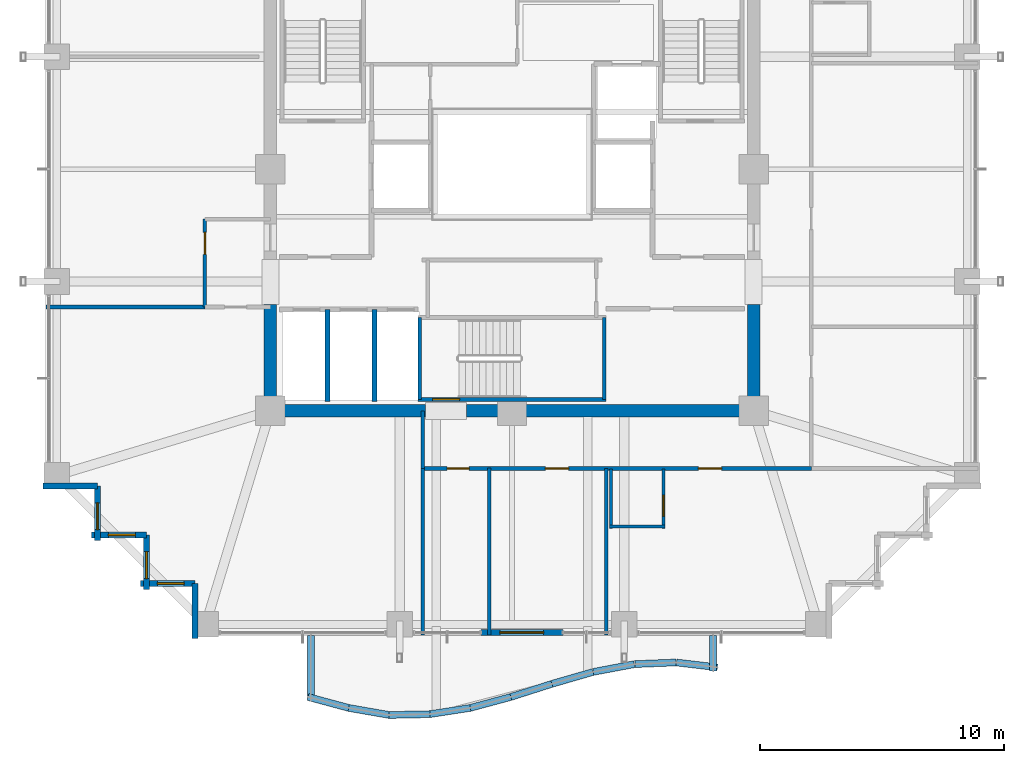
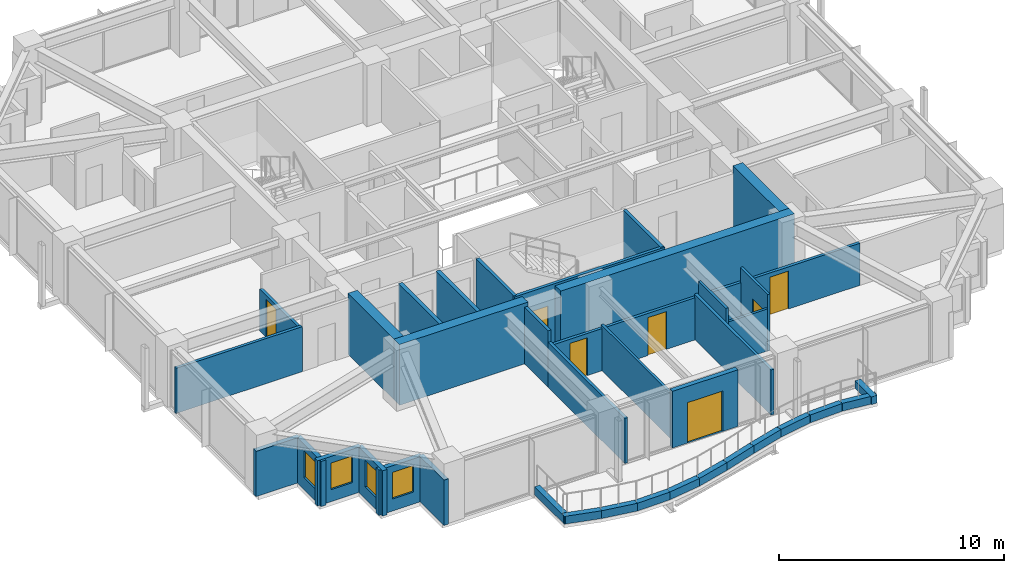
# One storey, part 25 of 31: 38 walls, 7 doors, 4 windows, 11 openings.
"""IFC4 building model written with IfcOpenShell, lengths in metres."""

from ifc_helpers import new_model, si_unit, direction, frame, frame_2d, origin, place, context, subcontext, project, spatial, rectangle, extrude, material, layer, layer_set, type_object, element, fill, save


model = new_model("IFC4")

# Units and contexts
model_context = context("Model", 3, precision=1e-05, world=origin(), true_north=direction((0.0, 1.0)))
body_context = subcontext(model_context, "Body", "Model", "MODEL_VIEW")
ifc_project = project(units=[si_unit("LENGTHUNIT", "METRE"), si_unit("AREAUNIT", "SQUARE_METRE"), si_unit("VOLUMEUNIT", "CUBIC_METRE"), si_unit("PLANEANGLEUNIT", "RADIAN"), si_unit("MASSUNIT", "GRAM", prefix="KILO")], contexts=[model_context])

# Site, building, storey
site_placement = place(None, origin())
site = spatial("IfcSite", under=ifc_project, at=site_placement, CompositionType="ELEMENT")
building_placement = place(site_placement, origin())
building = spatial("IfcBuilding", under=site, at=building_placement, Name="Kolvaren Belvedere", CompositionType="ELEMENT")
storey_placement = place(building_placement, frame((0.0, 0.0, 118.39990234375)))
storey = spatial("IfcBuildingStorey", under=building, at=storey_placement, Name="L34", CompositionType="ELEMENT", Elevation=118.39990234375)

# Walls
ifc_material_1 = material(Name="Concrete C50/60", Category="concrete")
ifc_layer_1 = layer(ifc_material_1, 0.5)
ifc_layer_set_1 = layer_set([ifc_layer_1], Name="Concrete C50/60")
wall_type_1 = type_object("IfcWallType", Name="CW-CORE-500", PredefinedType="SHEAR", material=ifc_layer_set_1)
wall_1_placement = place(storey_placement, frame((10.14990234375, -9.89990234375, 0.0), z_axis=(0.0, 0.0, 1.0), x_axis=(-1.0, 0.0, 0.0)))
element("IfcWall", 1, at=wall_1_placement, inside=storey, type_object=wall_type_1, Name="L34 South Core Shear Wall 1", PredefinedType="SHEAR", context=body_context, shape_type="SweptSolid", body=[
    extrude(rectangle(XDim=12.010009765625, YDim=0.5, at=frame_2d((6.0048828125, 0.0))), origin(), (0.0, 0.0, 1.0), 3.300048828125),
])
wall_2_placement = place(storey_placement, frame((-3.5400390625, -9.89990234375, 0.0), z_axis=(0.0, 0.0, 1.0), x_axis=(-1.0, 0.0, 0.0)))
element("IfcWall", 2, at=wall_2_placement, inside=storey, type_object=wall_type_1, Name="L34 South Core Shear Wall 2", PredefinedType="SHEAR", context=body_context, shape_type="SweptSolid", body=[
    extrude(rectangle(XDim=6.60986328125, YDim=0.5, at=frame_2d((3.304931640625, 0.0))), origin(), (0.0, 0.0, 1.0), 3.300048828125),
])
for number, where, z_axis, x_axis, name in (
    (3, (-9.89990234375, -9.64990234375, 0.0), (0.0, 0.0, 1.0), (0.0, 1.0, 0.0), "L34 West Core Shear Wall 1"),
    (4, (9.89990234375, -9.64990234375, 0.0), (0.0, 0.0, 1.0), (0.0, 1.0, 0.0), "L34 East Core Shear Wall 1"),
):
    element("IfcWall", number, at=place(storey_placement, frame(where, z_axis=z_axis, x_axis=x_axis)), inside=storey, type_object=wall_type_1, Name=name, PredefinedType="SHEAR", context=body_context, shape_type="SweptSolid", body=[
        extrude(rectangle(XDim=4.099853515625, YDim=0.5, at=frame_2d((2.0498046875, 0.0))), origin(), (0.0, 0.0, 1.0), 3.300048828125),
    ])

# Wall, opening, door
ifc_material_2 = material(Name="Concrete C50/60", Category="concrete")
ifc_layer_2 = layer(ifc_material_2, 0.159912109375)
ifc_layer_set_2 = layer_set([ifc_layer_2], Name="Concrete C50/60")
wall_type_2 = type_object("IfcWallType", Name="CW-STAIR-160", PredefinedType="SHEAR", material=ifc_layer_set_2)
wall_3_placement = place(storey_placement, frame((3.860107421875, -9.429931640625, 0.0), z_axis=(0.0, 0.0, 1.0), x_axis=(-1.0, 0.0, 0.0)))
wall_3 = element("IfcWall", 5, at=wall_3_placement, inside=storey, type_object=wall_type_2, Name="L34 Stair ST-3 South Shear Wall", PredefinedType="SHEAR", context=body_context, shape_type="SweptSolid", body=[
    extrude(rectangle(XDim=7.72021484375, YDim=0.159912109375, at=frame_2d((3.860107421875, 0.0))), origin(), (0.0, 0.0, 1.0), 3.300048828125),
])
opening_1_placement = place(wall_3_placement, frame((6.010009765625, 0.0, 0.0)))
opening_1 = element("IfcOpeningElement", 6, at=opening_1_placement, cuts=wall_3, Name="Opening D-FD90", PredefinedType="OPENING", context=body_context, shape_type="SweptSolid", body=[
    extrude(rectangle(XDim=1.10009765625, YDim=2.199951171875, at=frame_2d((0.550048828125, 1.10009765625))), frame((0.0, 0.08984375, 0.0), z_axis=(0.0, -1.0, 0.0), x_axis=(1.0, 0.0, 0.0)), (0.0, 0.0, 1.0), 0.179931640625),
])
ifc_material_3 = material(Name="Painted hollow stainless steel", Category="steel")
door_type_1 = type_object("IfcDoorType", Name="DR-FD90-1100", OperationType="NOTDEFINED", PredefinedType="DOOR", material=ifc_material_3)
door_1_placement = place(opening_1_placement, origin())
door_1 = element("IfcDoor", 7, at=door_1_placement, inside=storey, type_object=door_type_1, Name="L34 Stair ST-3 Exit Door", OperationType="SINGLE_SWING_RIGHT", OverallHeight=2.199951171875, OverallWidth=1.10009765625, PredefinedType="DOOR", context=body_context, shape_type="SweptSolid", body=[
    extrude(rectangle(XDim=1.10009765625, YDim=2.199951171875, at=frame_2d((0.550048828125, 1.10009765625))), frame((0.0, 0.02490234375, 0.0), z_axis=(0.0, -1.0, 0.0), x_axis=(1.0, 0.0, 0.0)), (0.0, 0.0, 1.0), 0.050048828125),
])
fill(opening_1, door_1)

# Walls
for number, where, z_axis, x_axis, name in (
    (8, (-3.780029296875, -9.429931640625, 0.0), (0.0, 0.0, 1.0), (0.0, 1.0, 0.0), "L34 Stair ST-3 West Shear Wall"),
    (9, (3.780029296875, -9.429931640625, 0.0), (0.0, 0.0, 1.0), (0.0, 1.0, 0.0), "L34 Stair ST-3 East Shear Wall"),
):
    element("IfcWall", number, at=place(storey_placement, frame(where, z_axis=z_axis, x_axis=x_axis)), inside=storey, type_object=wall_type_2, Name=name, PredefinedType="SHEAR", context=body_context, shape_type="SweptSolid", body=[
        extrude(rectangle(XDim=3.349853515625, YDim=0.159912109375, at=frame_2d((1.6748046875, 0.0))), origin(), (0.0, 0.0, 1.0), 3.300048828125),
    ])

# Wall, openings, doors
ifc_material_4 = material(Name="Gypsum fire-rated partition assembly", Category="gypsum")
ifc_layer_3 = layer(ifc_material_4, 0.14990234375)
ifc_layer_set_3 = layer_set([ifc_layer_3], Name="Gypsum fire-rated partition assembly")
wall_type_3 = type_object("IfcWallType", Name="WL-CORR-150", PredefinedType="PARTITIONING", material=ifc_layer_set_3)
wall_4_placement = place(storey_placement, frame((-3.64990234375, -12.260009765625, 0.0), z_axis=(0.0, 0.0, 1.0), x_axis=(1.0, 0.0, 0.0)))
wall_4 = element("IfcWall", 10, at=wall_4_placement, inside=storey, type_object=wall_type_3, Name="L34 South-East Corridor Wall", PredefinedType="PARTITIONING", context=body_context, shape_type="SweptSolid", body=[
    extrude(rectangle(XDim=15.909912109375, YDim=0.14990234375, at=frame_2d((7.955078125, 0.0))), origin(), (0.0, 0.0, 1.0), 2.2919921875),
])
opening_2_placement = place(wall_4_placement, frame((0.991943359375, 0.0, 0.0)))
opening_2 = element("IfcOpeningElement", 11, at=opening_2_placement, cuts=wall_4, Name="Opening D-INT90", PredefinedType="OPENING", context=body_context, shape_type="SweptSolid", body=[
    extrude(rectangle(XDim=0.89990234375, YDim=2.06005859375, at=frame_2d((0.449951171875, 1.030029296875))), frame((0.0, 0.0849609375, 0.0), z_axis=(0.0, -1.0, 0.0), x_axis=(1.0, 0.0, 0.0)), (0.0, 0.0, 1.0), 0.169921875),
])
opening_3_placement = place(wall_4_placement, frame((5.018798828125, 0.0, 0.0)))
opening_3 = element("IfcOpeningElement", 12, at=opening_3_placement, cuts=wall_4, Name="Opening D-INT95", PredefinedType="OPENING", context=body_context, shape_type="SweptSolid", body=[
    extrude(rectangle(XDim=0.949951171875, YDim=2.06005859375, at=frame_2d((0.47509765625, 1.030029296875))), frame((0.0, 0.0849609375, 0.0), z_axis=(0.0, -1.0, 0.0), x_axis=(1.0, 0.0, 0.0)), (0.0, 0.0, 1.0), 0.169921875),
])
opening_4_placement = place(wall_4_placement, frame((11.28759765625, 0.0, 0.0)))
opening_4 = element("IfcOpeningElement", 13, at=opening_4_placement, cuts=wall_4, Name="Opening D-FD60", PredefinedType="OPENING", context=body_context, shape_type="SweptSolid", body=[
    extrude(rectangle(XDim=0.949951171875, YDim=2.06005859375, at=frame_2d((0.47509765625, 1.030029296875))), frame((0.0, 0.0849609375, 0.0), z_axis=(0.0, -1.0, 0.0), x_axis=(1.0, 0.0, 0.0)), (0.0, 0.0, 1.0), 0.169921875),
])
ifc_material_5 = material(Name="Acoustic white-oak fire door leaf", Category="timber")
door_type_2 = type_object("IfcDoorType", Name="DR-FD60-950", OperationType="NOTDEFINED", PredefinedType="DOOR", material=ifc_material_5)
door_2_placement = place(opening_4_placement, origin())
door_2 = element("IfcDoor", 14, at=door_2_placement, inside=storey, type_object=door_type_2, Name="L34 Twin Guest Room 3409 Entry Door", OperationType="SINGLE_SWING_RIGHT", OverallHeight=2.06005859375, OverallWidth=0.949951171875, PredefinedType="DOOR", context=body_context, shape_type="SweptSolid", body=[
    extrude(rectangle(XDim=0.949951171875, YDim=2.06005859375, at=frame_2d((0.47509765625, 1.030029296875))), frame((0.0, 0.02490234375, 0.0), z_axis=(0.0, -1.0, 0.0), x_axis=(1.0, 0.0, 0.0)), (0.0, 0.0, 1.0), 0.050048828125),
])
fill(opening_4, door_2)
ifc_material_6 = material(Name="Stained Pacific white oak", Category="timber")
door_type_3 = type_object("IfcDoorType", Name="DR-INT-900", OperationType="NOTDEFINED", PredefinedType="DOOR", material=ifc_material_6)
door_3_placement = place(opening_2_placement, origin())
door_3 = element("IfcDoor", 15, at=door_3_placement, inside=storey, type_object=door_type_3, Name="L34 Housekeeping Door", OperationType="SINGLE_SWING_LEFT", OverallHeight=2.06005859375, OverallWidth=0.89990234375, PredefinedType="DOOR", context=body_context, shape_type="SweptSolid", body=[
    extrude(rectangle(XDim=0.89990234375, YDim=2.06005859375, at=frame_2d((0.449951171875, 1.030029296875))), frame((0.0, 0.02490234375, 0.0), z_axis=(0.0, -1.0, 0.0), x_axis=(1.0, 0.0, 0.0)), (0.0, 0.0, 1.0), 0.050048828125),
])
fill(opening_2, door_3)
ifc_material_7 = material(Name="Stained Pacific white oak", Category="timber")
door_type_4 = type_object("IfcDoorType", Name="DR-INT-950", OperationType="NOTDEFINED", PredefinedType="DOOR", material=ifc_material_7)
door_4_placement = place(opening_3_placement, origin())
door_4 = element("IfcDoor", 16, at=door_4_placement, inside=storey, type_object=door_type_4, Name="L34 Accessible Washroom Door", OperationType="SINGLE_SWING_RIGHT", OverallHeight=2.06005859375, OverallWidth=0.949951171875, PredefinedType="DOOR", context=body_context, shape_type="SweptSolid", body=[
    extrude(rectangle(XDim=0.949951171875, YDim=2.06005859375, at=frame_2d((0.47509765625, 1.030029296875))), frame((0.0, 0.02490234375, 0.0), z_axis=(0.0, -1.0, 0.0), x_axis=(1.0, 0.0, 0.0)), (0.0, 0.0, 1.0), 0.050048828125),
])
fill(opening_3, door_4)

# Wall
wall_5_placement = place(storey_placement, frame((-3.64990234375, -12.260009765625, 0.0), z_axis=(0.0, 0.0, 1.0), x_axis=(0.0, 1.0, 0.0)))
element("IfcWall", 17, at=wall_5_placement, inside=storey, type_object=wall_type_3, Name="L34 South Spur West Closure Wall", PredefinedType="PARTITIONING", context=body_context, shape_type="SweptSolid", body=[
    extrude(rectangle(XDim=2.360107421875, YDim=0.14990234375, at=frame_2d((1.18017578125, 0.0))), origin(), (0.0, 0.0, 1.0), 3.080078125),
])

# Wall, opening, door
wall_6_placement = place(storey_placement, frame((-12.580078125, -5.64990234375, 0.0), z_axis=(0.0, 0.0, 1.0), x_axis=(0.0, 1.0, 0.0)))
wall_6 = element("IfcWall", 18, at=wall_6_placement, inside=storey, type_object=wall_type_3, Name="L34 West FSAE Pocket Wall", PredefinedType="PARTITIONING", context=body_context, shape_type="SweptSolid", body=[
    extrude(rectangle(XDim=3.599853515625, YDim=0.14990234375, at=frame_2d((1.7998046875, 0.0))), origin(), (0.0, 0.0, 1.0), 2.2919921875),
])
opening_5_placement = place(wall_6_placement, frame((2.15625, 0.0, 0.0)))
opening_5 = element("IfcOpeningElement", 19, at=opening_5_placement, cuts=wall_6, Name="Opening D-INT90", PredefinedType="OPENING", context=body_context, shape_type="SweptSolid", body=[
    extrude(rectangle(XDim=0.89990234375, YDim=2.06005859375, at=frame_2d((0.449951171875, 1.030029296875))), frame((0.0, 0.0849609375, 0.0), z_axis=(0.0, -1.0, 0.0), x_axis=(1.0, 0.0, 0.0)), (0.0, 0.0, 1.0), 0.169921875),
])
door_5_placement = place(opening_5_placement, origin())
door_5 = element("IfcDoor", 20, at=door_5_placement, inside=storey, type_object=door_type_3, Name="L34 Lounge 3407 Door", OperationType="SINGLE_SWING_LEFT", OverallHeight=2.06005859375, OverallWidth=0.89990234375, PredefinedType="DOOR", context=body_context, shape_type="SweptSolid", body=[
    extrude(rectangle(XDim=0.89990234375, YDim=2.06005859375, at=frame_2d((0.449951171875, 1.030029296875))), frame((0.0, 0.02490234375, 0.0), z_axis=(0.0, -1.0, 0.0), x_axis=(1.0, 0.0, 0.0)), (0.0, 0.0, 1.0), 0.050048828125),
])
fill(opening_5, door_5)

ifc_material_8 = material(Name="Insulated pale-metal facade wall assembly", Category="aluminium")
ifc_layer_4 = layer(ifc_material_8, 0.239990234375)
ifc_layer_set_4 = layer_set([ifc_layer_4], Name="Insulated pale-metal facade wall assembly")
wall_type_4 = type_object("IfcWallType", Name="WL-EXT-240", PredefinedType="STANDARD", material=ifc_layer_set_4)
wall_7_placement = place(storey_placement, frame((2.080078125, -18.97998046875, 0.0), z_axis=(0.0, 0.0, 1.0), x_axis=(-1.0, 0.0, 0.0)))
wall_7 = element("IfcWall", 21, at=wall_7_placement, inside=storey, type_object=wall_type_4, Name="L34 South Terrace Portal Wall", PredefinedType="STANDARD", context=body_context, shape_type="SweptSolid", body=[
    extrude(rectangle(XDim=3.360107421875, YDim=0.239990234375, at=frame_2d((1.68017578125, 0.0))), origin(), (0.0, 0.0, 1.0), 3.080078125),
])
opening_6_placement = place(wall_7_placement, frame((0.780029296875, 0.0, 0.0)))
opening_6 = element("IfcOpeningElement", 22, at=opening_6_placement, cuts=wall_7, Name="Opening DB-1800", PredefinedType="OPENING", context=body_context, shape_type="SweptSolid", body=[
    extrude(rectangle(XDim=1.800048828125, YDim=2.199951171875, at=frame_2d((0.89990234375, 1.10009765625))), frame((0.0, 0.1298828125, 0.0), z_axis=(0.0, -1.0, 0.0), x_axis=(1.0, 0.0, 0.0)), (0.0, 0.0, 1.0), 0.260009765625),
])
ifc_material_9 = material(Name="Thermally broken pale-metal aluminium & low-iron glass", Category="aluminium")
door_type_5 = type_object("IfcDoorType", Name="DR-BAL-1800", OperationType="DOUBLE_DOOR_SLIDING", PredefinedType="DOOR", material=ifc_material_9)
door_6_placement = place(opening_6_placement, origin())
door_6 = element("IfcDoor", 23, at=door_6_placement, inside=storey, type_object=door_type_5, Name="L34 South Planted Terrace Sliding Door", OperationType="DOUBLE_DOOR_SLIDING", OverallHeight=2.199951171875, OverallWidth=1.800048828125, PredefinedType="DOOR", context=body_context, shape_type="SweptSolid", body=[
    extrude(rectangle(XDim=1.800048828125, YDim=2.199951171875, at=frame_2d((0.89990234375, 1.10009765625))), frame((0.0, 0.02490234375, 0.0), z_axis=(0.0, -1.0, 0.0), x_axis=(1.0, 0.0, 0.0)), (0.0, 0.0, 1.0), 0.050048828125),
])
fill(opening_6, door_6)

# Wall
wall_8_placement = place(storey_placement, frame((-16.97998046875, -12.97998046875, 0.0), z_axis=(0.0, 0.0, 1.0), x_axis=(-1.0, 0.0, 0.0)))
element("IfcWall", 24, at=wall_8_placement, inside=storey, type_object=wall_type_4, Name="L34 Serrated Corner Facade Wall 23", PredefinedType="STANDARD", context=body_context, shape_type="SweptSolid", body=[
    extrude(rectangle(XDim=2.239990234375, YDim=0.239990234375, at=frame_2d((1.1201171875, 0.0))), origin(), (0.0, 0.0, 1.0), 2.458984375),
])

# Wall, opening, window
wall_9_placement = place(storey_placement, frame((-16.97998046875, -15.219970703125, 0.0), z_axis=(0.0, 0.0, 1.0), x_axis=(0.0, 1.0, 0.0)))
wall_9 = element("IfcWall", 25, at=wall_9_placement, inside=storey, type_object=wall_type_4, Name="L34 Serrated Corner Facade Wall 24", PredefinedType="STANDARD", context=body_context, shape_type="SweptSolid", body=[
    extrude(rectangle(XDim=2.239990234375, YDim=0.239990234375, at=frame_2d((1.1201171875, 0.0))), origin(), (0.0, 0.0, 1.0), 2.458984375),
])
opening_7_placement = place(wall_9_placement, frame((0.449951171875, 0.0, 0.64990234375)))
opening_7 = element("IfcOpeningElement", 26, at=opening_7_placement, cuts=wall_9, Name="Opening W-1100", PredefinedType="OPENING", context=body_context, shape_type="SweptSolid", body=[
    extrude(rectangle(XDim=1.10009765625, YDim=1.449951171875, at=frame_2d((0.550048828125, 0.72509765625))), frame((0.0, 0.1298828125, 0.0), z_axis=(0.0, -1.0, 0.0), x_axis=(1.0, 0.0, 0.0)), (0.0, 0.0, 1.0), 0.260009765625),
])
ifc_material_10 = material(Name="Low-iron triple insulated glass", Category="glass")
window_type = type_object("IfcWindowType", Name="WN-CORN-1100", PartitioningType="SINGLE_PANEL", PredefinedType="WINDOW", material=ifc_material_10)
window_1_placement = place(opening_7_placement, origin())
window_1 = element("IfcWindow", 27, at=window_1_placement, inside=storey, type_object=window_type, Name="L34 Serrated Corner Vision Window 24", OverallHeight=1.449951171875, OverallWidth=1.10009765625, PartitioningType="SINGLE_PANEL", PredefinedType="WINDOW", context=body_context, shape_type="SweptSolid", body=[
    extrude(rectangle(XDim=1.10009765625, YDim=1.449951171875, at=frame_2d((0.550048828125, 0.72509765625))), frame((0.0, 0.030029296875, 0.0), z_axis=(0.0, -1.0, 0.0), x_axis=(1.0, 0.0, 0.0)), (0.0, 0.0, 1.0), 0.06005859375),
])
fill(opening_7, window_1)

wall_10_placement = place(storey_placement, frame((-14.97998046875, -14.97998046875, 0.0), z_axis=(0.0, 0.0, 1.0), x_axis=(-1.0, 0.0, 0.0)))
wall_10 = element("IfcWall", 28, at=wall_10_placement, inside=storey, type_object=wall_type_4, Name="L34 Serrated Corner Facade Wall 25", PredefinedType="STANDARD", context=body_context, shape_type="SweptSolid", body=[
    extrude(rectangle(XDim=2.239990234375, YDim=0.239990234375, at=frame_2d((1.1201171875, 0.0))), origin(), (0.0, 0.0, 1.0), 2.458984375),
])
opening_8_placement = place(wall_10_placement, frame((0.449951171875, 0.0, 0.64990234375)))
opening_8 = element("IfcOpeningElement", 29, at=opening_8_placement, cuts=wall_10, Name="Opening W-1100", PredefinedType="OPENING", context=body_context, shape_type="SweptSolid", body=[
    extrude(rectangle(XDim=1.10009765625, YDim=1.449951171875, at=frame_2d((0.550048828125, 0.72509765625))), frame((0.0, 0.1298828125, 0.0), z_axis=(0.0, -1.0, 0.0), x_axis=(1.0, 0.0, 0.0)), (0.0, 0.0, 1.0), 0.260009765625),
])
window_2_placement = place(opening_8_placement, origin())
window_2 = element("IfcWindow", 30, at=window_2_placement, inside=storey, type_object=window_type, Name="L34 Serrated Corner Vision Window 25", OverallHeight=1.449951171875, OverallWidth=1.10009765625, PartitioningType="SINGLE_PANEL", PredefinedType="WINDOW", context=body_context, shape_type="SweptSolid", body=[
    extrude(rectangle(XDim=1.10009765625, YDim=1.449951171875, at=frame_2d((0.550048828125, 0.72509765625))), frame((0.0, 0.030029296875, 0.0), z_axis=(0.0, -1.0, 0.0), x_axis=(1.0, 0.0, 0.0)), (0.0, 0.0, 1.0), 0.06005859375),
])
fill(opening_8, window_2)

wall_11_placement = place(storey_placement, frame((-14.97998046875, -17.219970703125, 0.0), z_axis=(0.0, 0.0, 1.0), x_axis=(0.0, 1.0, 0.0)))
wall_11 = element("IfcWall", 31, at=wall_11_placement, inside=storey, type_object=wall_type_4, Name="L34 Serrated Corner Facade Wall 26", PredefinedType="STANDARD", context=body_context, shape_type="SweptSolid", body=[
    extrude(rectangle(XDim=2.239990234375, YDim=0.239990234375, at=frame_2d((1.1201171875, 0.0))), origin(), (0.0, 0.0, 1.0), 2.458984375),
])
opening_9_placement = place(wall_11_placement, frame((0.449951171875, 0.0, 0.64990234375)))
opening_9 = element("IfcOpeningElement", 32, at=opening_9_placement, cuts=wall_11, Name="Opening W-1100", PredefinedType="OPENING", context=body_context, shape_type="SweptSolid", body=[
    extrude(rectangle(XDim=1.10009765625, YDim=1.449951171875, at=frame_2d((0.550048828125, 0.72509765625))), frame((0.0, 0.1298828125, 0.0), z_axis=(0.0, -1.0, 0.0), x_axis=(1.0, 0.0, 0.0)), (0.0, 0.0, 1.0), 0.260009765625),
])
window_3_placement = place(opening_9_placement, origin())
window_3 = element("IfcWindow", 33, at=window_3_placement, inside=storey, type_object=window_type, Name="L34 Serrated Corner Vision Window 26", OverallHeight=1.449951171875, OverallWidth=1.10009765625, PartitioningType="SINGLE_PANEL", PredefinedType="WINDOW", context=body_context, shape_type="SweptSolid", body=[
    extrude(rectangle(XDim=1.10009765625, YDim=1.449951171875, at=frame_2d((0.550048828125, 0.72509765625))), frame((0.0, 0.030029296875, 0.0), z_axis=(0.0, -1.0, 0.0), x_axis=(1.0, 0.0, 0.0)), (0.0, 0.0, 1.0), 0.06005859375),
])
fill(opening_9, window_3)

wall_12_placement = place(storey_placement, frame((-12.97998046875, -16.97998046875, 0.0), z_axis=(0.0, 0.0, 1.0), x_axis=(-1.0, 0.0, 0.0)))
wall_12 = element("IfcWall", 34, at=wall_12_placement, inside=storey, type_object=wall_type_4, Name="L34 Serrated Corner Facade Wall 27", PredefinedType="STANDARD", context=body_context, shape_type="SweptSolid", body=[
    extrude(rectangle(XDim=2.239990234375, YDim=0.239990234375, at=frame_2d((1.1201171875, 0.0))), origin(), (0.0, 0.0, 1.0), 2.458984375),
])
opening_10_placement = place(wall_12_placement, frame((0.449951171875, 0.0, 0.64990234375)))
opening_10 = element("IfcOpeningElement", 35, at=opening_10_placement, cuts=wall_12, Name="Opening W-1100", PredefinedType="OPENING", context=body_context, shape_type="SweptSolid", body=[
    extrude(rectangle(XDim=1.10009765625, YDim=1.449951171875, at=frame_2d((0.550048828125, 0.72509765625))), frame((0.0, 0.1298828125, 0.0), z_axis=(0.0, -1.0, 0.0), x_axis=(1.0, 0.0, 0.0)), (0.0, 0.0, 1.0), 0.260009765625),
])
window_4_placement = place(opening_10_placement, origin())
window_4 = element("IfcWindow", 36, at=window_4_placement, inside=storey, type_object=window_type, Name="L34 Serrated Corner Vision Window 27", OverallHeight=1.449951171875, OverallWidth=1.10009765625, PartitioningType="SINGLE_PANEL", PredefinedType="WINDOW", context=body_context, shape_type="SweptSolid", body=[
    extrude(rectangle(XDim=1.10009765625, YDim=1.449951171875, at=frame_2d((0.550048828125, 0.72509765625))), frame((0.0, 0.030029296875, 0.0), z_axis=(0.0, -1.0, 0.0), x_axis=(1.0, 0.0, 0.0)), (0.0, 0.0, 1.0), 0.06005859375),
])
fill(opening_10, window_4)

# Walls
wall_13_placement = place(storey_placement, frame((-12.97998046875, -19.219970703125, 0.0), z_axis=(0.0, 0.0, 1.0), x_axis=(0.0, 1.0, 0.0)))
element("IfcWall", 37, at=wall_13_placement, inside=storey, type_object=wall_type_4, Name="L34 Serrated Corner Facade Wall 28", PredefinedType="STANDARD", context=body_context, shape_type="SweptSolid", body=[
    extrude(rectangle(XDim=2.239990234375, YDim=0.239990234375, at=frame_2d((1.1201171875, 0.0))), origin(), (0.0, 0.0, 1.0), 2.458984375),
])
ifc_material_11 = material(Name="Gypsum acoustic partition assembly", Category="gypsum")
ifc_layer_5 = layer(ifc_material_11, 0.14990234375)
ifc_layer_set_5 = layer_set([ifc_layer_5], Name="Gypsum acoustic partition assembly")
wall_type_5 = type_object("IfcWallType", Name="WL-PART-150", PredefinedType="PARTITIONING", material=ifc_layer_set_5)
wall_14_placement = place(storey_placement, frame((-19.080078125, -5.64990234375, 0.0), z_axis=(0.0, 0.0, 1.0), x_axis=(1.0, 0.0, 0.0)))
element("IfcWall", 38, at=wall_14_placement, inside=storey, type_object=wall_type_5, Name="L34 West Mid Suite South Wall", PredefinedType="PARTITIONING", context=body_context, shape_type="SweptSolid", body=[
    extrude(rectangle(XDim=6.5, YDim=0.14990234375, at=frame_2d((3.25, 0.0))), origin(), (0.0, 0.0, 1.0), 2.44921875),
])
for number, where, z_axis, x_axis, name in (
    (39, (-3.64990234375, -19.080078125, 0.0), (0.0, 0.0, 1.0), (0.0, 1.0, 0.0), "L34 South Mid-West Wall"),
    (40, (3.860107421875, -19.080078125, 0.0), (0.0, 0.0, 1.0), (0.0, 1.0, 0.0), "L34 South-East Suite Divider 1"),
):
    element("IfcWall", number, at=place(storey_placement, frame(where, z_axis=z_axis, x_axis=x_axis)), inside=storey, type_object=wall_type_5, Name=name, PredefinedType="PARTITIONING", context=body_context, shape_type="SweptSolid", body=[
        extrude(rectangle(XDim=6.820068359375, YDim=0.14990234375, at=frame_2d((3.41015625, 0.0))), origin(), (0.0, 0.0, 1.0), 2.44921875),
    ])
ifc_material_12 = material(Name="Precast concrete C40/50", Category="concrete")
ifc_layer_6 = layer(ifc_material_12, 0.300048828125)
ifc_layer_set_6 = layer_set([ifc_layer_6], Name="Precast concrete C40/50")
wall_type_6 = type_object("IfcWallType", Name="WL-PLANTER-300", PredefinedType="PARAPET", material=ifc_layer_set_6)
wall_15_placement = place(storey_placement, frame((-8.3583984375, -21.619140625, -0.039794921875), z_axis=(0.0, 0.0, 1.0), x_axis=(0.965434024814, -0.260647546949, 0.0)))
element("IfcWall", 41, at=wall_15_placement, inside=storey, type_object=wall_type_6, Name="L34 Precast Structural Planter Wall BAL-S-1", PredefinedType="PARAPET", context=body_context, shape_type="SweptSolid", body=[
    extrude(rectangle(XDim=1.740234375, YDim=0.280029296875, at=frame_2d((0.8701171875, 0.0))), origin(), (0.0, 0.0, 1.0), 0.419921875),
])
wall_16_placement = place(storey_placement, frame((-6.6923828125, -22.069580078125, -0.039794921875), z_axis=(0.0, 0.0, 1.0), x_axis=(0.985156010777, -0.171661394699, 0.0)))
element("IfcWall", 42, at=wall_16_placement, inside=storey, type_object=wall_type_6, Name="L34 Precast Structural Planter Wall BAL-S-2", PredefinedType="PARAPET", context=body_context, shape_type="SweptSolid", body=[
    extrude(rectangle(XDim=1.705322265625, YDim=0.280029296875, at=frame_2d((0.8525390625, 0.0))), origin(), (0.0, 0.0, 1.0), 0.419921875),
])
wall_17_placement = place(storey_placement, frame((-5.043212890625, -22.360107421875, -0.039794921875), z_axis=(0.0, 0.0, 1.0), x_axis=(0.999796031266, 0.020196431964, 0.0)))
element("IfcWall", 43, at=wall_17_placement, inside=storey, type_object=wall_type_6, Name="L34 Precast Structural Planter Wall BAL-S-3", PredefinedType="PARAPET", context=body_context, shape_type="SweptSolid", body=[
    extrude(rectangle(XDim=1.68017578125, YDim=0.280029296875, at=frame_2d((0.840087890625, 0.0))), origin(), (0.0, 0.0, 1.0), 0.419921875),
])
wall_18_placement = place(storey_placement, frame((-3.384521484375, -22.327880859375, -0.039794921875), z_axis=(0.0, 0.0, 1.0), x_axis=(0.988345118302, 0.152229849666, 0.0)))
element("IfcWall", 44, at=wall_18_placement, inside=storey, type_object=wall_type_6, Name="L34 Precast Structural Planter Wall BAL-S-4", PredefinedType="PARAPET", context=body_context, shape_type="SweptSolid", body=[
    extrude(rectangle(XDim=1.699951171875, YDim=0.280029296875, at=frame_2d((0.85009765625, 0.0))), origin(), (0.0, 0.0, 1.0), 0.419921875),
])
wall_19_placement = place(storey_placement, frame((-1.7216796875, -22.07275390625, -0.039794921875), z_axis=(0.0, 0.0, 1.0), x_axis=(0.965424492388, 0.260682852326, 0.0)))
element("IfcWall", 45, at=wall_19_placement, inside=storey, type_object=wall_type_6, Name="L34 Precast Structural Planter Wall BAL-S-5", PredefinedType="PARAPET", context=body_context, shape_type="SweptSolid", body=[
    extrude(rectangle(XDim=1.739990234375, YDim=0.280029296875, at=frame_2d((0.8701171875, 0.0))), origin(), (0.0, 0.0, 1.0), 0.419921875),
])
wall_20_placement = place(storey_placement, frame((-0.048583984375, -21.621337890625, -0.039794921875), z_axis=(0.0, 0.0, 1.0), x_axis=(0.952661770826, 0.304032153573, 0.0)))
element("IfcWall", 46, at=wall_20_placement, inside=storey, type_object=wall_type_6, Name="L34 Precast Structural Planter Wall BAL-S-6", PredefinedType="PARAPET", context=body_context, shape_type="SweptSolid", body=[
    extrude(rectangle(XDim=1.763427734375, YDim=0.280029296875, at=frame_2d((0.8818359375, 0.0))), origin(), (0.0, 0.0, 1.0), 0.419921875),
])
wall_21_placement = place(storey_placement, frame((1.635498046875, -21.083984375, -0.039794921875), z_axis=(0.0, 0.0, 1.0), x_axis=(0.96059663827, 0.277946215201, 0.0)))
element("IfcWall", 47, at=wall_21_placement, inside=storey, type_object=wall_type_6, Name="L34 Precast Structural Planter Wall BAL-S-7", PredefinedType="PARAPET", context=body_context, shape_type="SweptSolid", body=[
    extrude(rectangle(XDim=1.748779296875, YDim=0.280029296875, at=frame_2d((0.87451171875, 0.0))), origin(), (0.0, 0.0, 1.0), 0.419921875),
])
wall_22_placement = place(storey_placement, frame((3.330322265625, -20.594482421875, -0.039794921875), z_axis=(0.0, 0.0, 1.0), x_axis=(0.982778293957, 0.184788595231, 0.0)))
element("IfcWall", 48, at=wall_22_placement, inside=storey, type_object=wall_type_6, Name="L34 Precast Structural Planter Wall BAL-S-8", PredefinedType="PARAPET", context=body_context, shape_type="SweptSolid", body=[
    extrude(rectangle(XDim=1.709716796875, YDim=0.280029296875, at=frame_2d((0.85498046875, 0.0))), origin(), (0.0, 0.0, 1.0), 0.419921875),
])
wall_23_placement = place(storey_placement, frame((5.03369140625, -20.27587890625, -0.039794921875), z_axis=(0.0, 0.0, 1.0), x_axis=(0.999196545286, 0.040078222133, 0.0)))
element("IfcWall", 49, at=wall_23_placement, inside=storey, type_object=wall_type_6, Name="L34 Precast Structural Planter Wall BAL-S-9", PredefinedType="PARAPET", context=body_context, shape_type="SweptSolid", body=[
    extrude(rectangle(XDim=1.681396484375, YDim=0.280029296875, at=frame_2d((0.8408203125, 0.0))), origin(), (0.0, 0.0, 1.0), 0.419921875),
])
wall_24_placement = place(storey_placement, frame((6.73876953125, -20.209716796875, -0.039794921875), z_axis=(0.0, 0.0, 1.0), x_axis=(0.993142720498, -0.116908240605, 0.0)))
element("IfcWall", 50, at=wall_24_placement, inside=storey, type_object=wall_type_6, Name="L34 Precast Structural Planter Wall BAL-S-10", PredefinedType="PARAPET", context=body_context, shape_type="SweptSolid", body=[
    extrude(rectangle(XDim=1.691650390625, YDim=0.280029296875, at=frame_2d((0.845703125, 0.0))), origin(), (0.0, 0.0, 1.0), 0.419921875),
])
wall_25_placement = place(storey_placement, frame((8.239990234375, -20.56640625, -0.039794921875), z_axis=(0.0, 0.0, 1.0), x_axis=(0.0, 1.0, 0.0)))
element("IfcWall", 51, at=wall_25_placement, inside=storey, type_object=wall_type_6, Name="L34 Precast Structural Planter Wall BAL-S-11", PredefinedType="PARAPET", context=body_context, shape_type="SweptSolid", body=[
    extrude(rectangle(XDim=1.46630859375, YDim=0.280029296875, at=frame_2d((0.733154296875, 0.0))), origin(), (0.0, 0.0, 1.0), 0.419921875),
])
wall_26_placement = place(storey_placement, frame((-8.239990234375, -19.10009765625, -0.039794921875), z_axis=(0.0, 0.0, 1.0), x_axis=(0.0, -1.0, 0.0)))
element("IfcWall", 52, at=wall_26_placement, inside=storey, type_object=wall_type_6, Name="L34 Precast Structural Planter Wall BAL-S-22", PredefinedType="PARAPET", context=body_context, shape_type="SweptSolid", body=[
    extrude(rectangle(XDim=2.673583984375, YDim=0.280029296875, at=frame_2d((1.3369140625, 0.0))), origin(), (0.0, 0.0, 1.0), 0.419921875),
])
ifc_material_13 = material(Name="Concrete C50/60", Category="concrete")
ifc_layer_7 = layer(ifc_material_13, 0.199951171875)
ifc_layer_set_7 = layer_set([ifc_layer_7], Name="Concrete C50/60")
wall_type_7 = type_object("IfcWallType", Name="WL-SHAFT-200", PredefinedType="SOLIDWALL", material=ifc_layer_set_7)
for number, where, z_axis, x_axis, name in (
    (53, (-7.56005859375, -9.52001953125, 0.0), (0.0, 0.0, 1.0), (0.0, 1.0, 0.0), "L34 Mid-Rise Hoistway Divider 1"),
    (54, (-5.6298828125, -9.52001953125, 0.0), (0.0, 0.0, 1.0), (0.0, 1.0, 0.0), "L34 Mid-Rise Hoistway Divider 2"),
):
    element("IfcWall", number, at=place(storey_placement, frame(where, z_axis=z_axis, x_axis=x_axis)), inside=storey, type_object=wall_type_7, Name=name, PredefinedType="SOLIDWALL", context=body_context, shape_type="SweptSolid", body=[
        extrude(rectangle(XDim=3.77001953125, YDim=0.199951171875, at=frame_2d((1.885009765625, 0.0))), origin(), (0.0, 0.0, 1.0), 3.080078125),
    ])
ifc_material_14 = material(Name="Moisture-resistant gypsum partition", Category="gypsum")
ifc_layer_8 = layer(ifc_material_14, 0.125)
ifc_layer_set_8 = layer_set([ifc_layer_8], Name="Moisture-resistant gypsum partition")
wall_type_8 = type_object("IfcWallType", Name="WL-WET-125", PredefinedType="PARTITIONING", material=ifc_layer_set_8)
wall_27_placement = place(storey_placement, frame((-0.931884765625, -19.080078125, 0.0), z_axis=(0.0, 0.0, 1.0), x_axis=(0.0, 1.0, 0.0)))
element("IfcWall", 55, at=wall_27_placement, inside=storey, type_object=wall_type_8, Name="L34 Housekeeping Washroom Divider", PredefinedType="PARTITIONING", context=body_context, shape_type="SweptSolid", body=[
    extrude(rectangle(XDim=6.844970703125, YDim=0.125, at=frame_2d((3.42236328125, 0.0))), origin(), (0.0, 0.0, 1.0), 2.44921875),
])

# Wall, opening, door
wall_28_placement = place(storey_placement, frame((6.205078125, -14.715087890625, 0.0), z_axis=(0.0, 0.0, 1.0), x_axis=(0.0, 1.0, 0.0)))
wall_28 = element("IfcWall", 56, at=wall_28_placement, inside=storey, type_object=wall_type_8, Name="L34 Bathroom Partition PW-L34-BTH-9-E", PredefinedType="PARTITIONING", context=body_context, shape_type="SweptSolid", body=[
    extrude(rectangle(XDim=2.440185546875, YDim=0.125, at=frame_2d((1.22021484375, 0.0))), origin(), (0.0, 0.0, 1.0), 3.080078125),
])
opening_11_placement = place(wall_28_placement, frame((0.5, 0.0, 0.0)))
opening_11 = element("IfcOpeningElement", 57, at=opening_11_placement, cuts=wall_28, Name="Opening D-BTH85", PredefinedType="OPENING", context=body_context, shape_type="SweptSolid", body=[
    extrude(rectangle(XDim=0.85009765625, YDim=2.030029296875, at=frame_2d((0.425048828125, 1.01513671875))), frame((0.0, 0.072509765625, 0.0), z_axis=(0.0, -1.0, 0.0), x_axis=(1.0, 0.0, 0.0)), (0.0, 0.0, 1.0), 0.14501953125),
])
ifc_material_15 = material(Name="Moisture-sealed Pacific white oak", Category="timber")
door_type_6 = type_object("IfcDoorType", Name="DR-BATH-850", OperationType="NOTDEFINED", PredefinedType="DOOR", material=ifc_material_15)
door_7_placement = place(opening_11_placement, origin())
door_7 = element("IfcDoor", 58, at=door_7_placement, inside=storey, type_object=door_type_6, Name="L34 En-Suite Bathroom 3409 Door", OperationType="SINGLE_SWING_LEFT", OverallHeight=2.030029296875, OverallWidth=0.85009765625, PredefinedType="DOOR", context=body_context, shape_type="SweptSolid", body=[
    extrude(rectangle(XDim=0.85009765625, YDim=2.030029296875, at=frame_2d((0.425048828125, 1.01513671875))), frame((0.0, 0.02490234375, 0.0), z_axis=(0.0, -1.0, 0.0), x_axis=(1.0, 0.0, 0.0)), (0.0, 0.0, 1.0), 0.050048828125),
])
fill(opening_11, door_7)

# Walls
wall_29_placement = place(storey_placement, frame((3.9951171875, -14.635009765625, 0.0), z_axis=(0.0, 0.0, 1.0), x_axis=(1.0, 0.0, 0.0)))
element("IfcWall", 59, at=wall_29_placement, inside=storey, type_object=wall_type_8, Name="L34 Bathroom Partition PW-L34-BTH-9-H", PredefinedType="PARTITIONING", context=body_context, shape_type="SweptSolid", body=[
    extrude(rectangle(XDim=2.269775390625, YDim=0.125, at=frame_2d((1.134765625, 0.0))), origin(), (0.0, 0.0, 1.0), 2.2919921875),
])
wall_30_placement = place(storey_placement, frame((4.054931640625, -14.715087890625, 0.0), z_axis=(0.0, 0.0, 1.0), x_axis=(0.0, 1.0, 0.0)))
element("IfcWall", 60, at=wall_30_placement, inside=storey, type_object=wall_type_8, Name="L34 Bathroom Partition PW-L34-BTH-9-W", PredefinedType="PARTITIONING", context=body_context, shape_type="SweptSolid", body=[
    extrude(rectangle(XDim=2.440185546875, YDim=0.125, at=frame_2d((1.22021484375, 0.0))), origin(), (0.0, 0.0, 1.0), 3.080078125),
])

save(model, "model.ifc")
